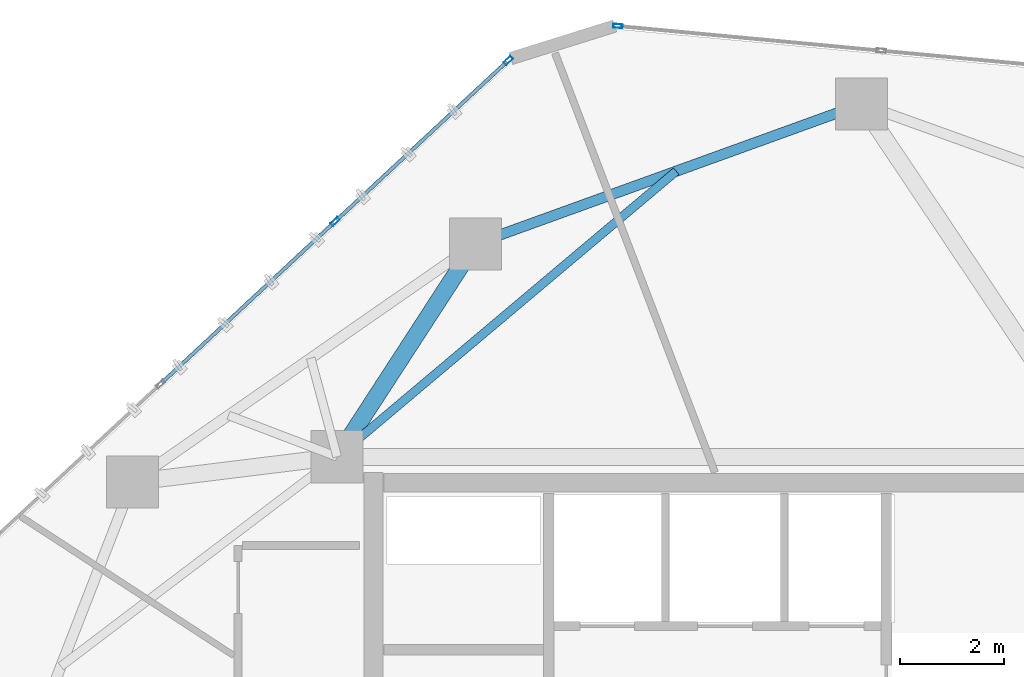
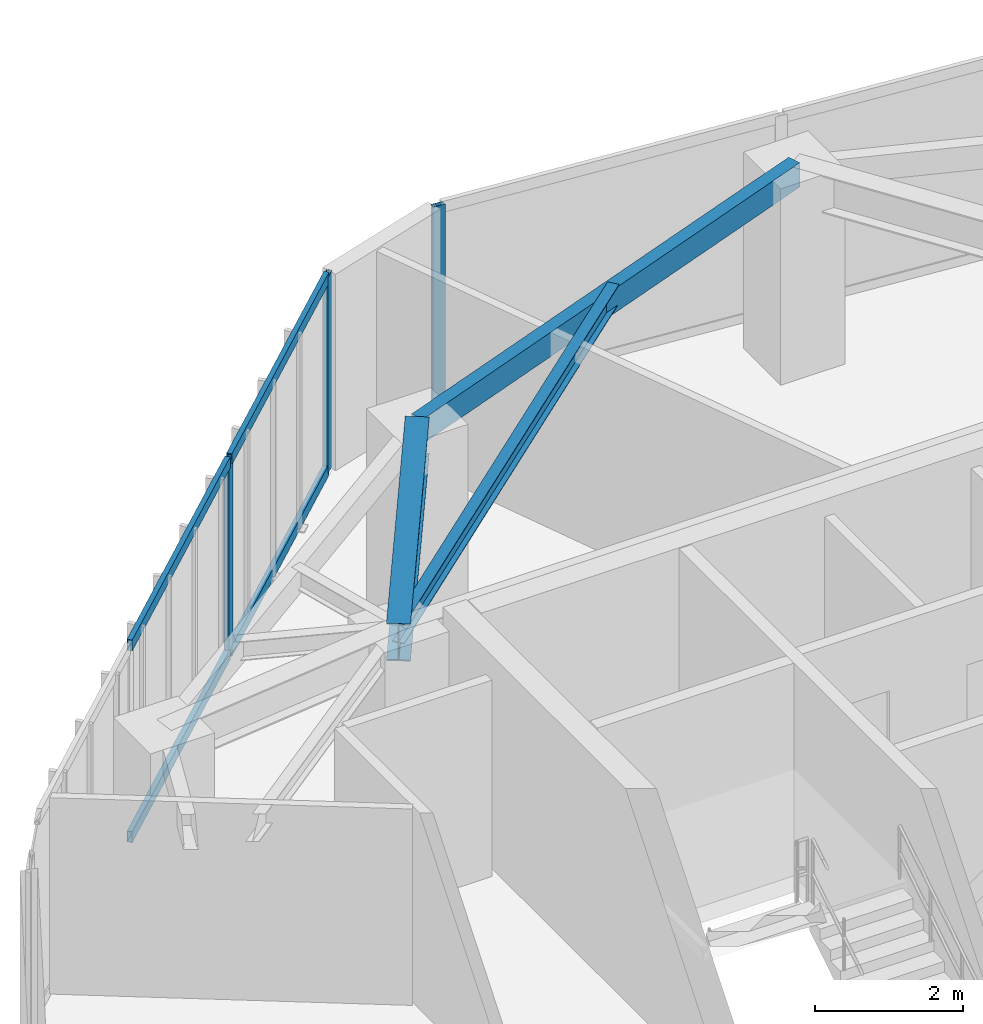
# One storey, part 12 of 19: 7 members, 3 beams, 2 elements without a shape of their own.
"""IFC4 building model written with IfcOpenShell, lengths in metres."""

from ifc_helpers import new_model, si_unit, direction, frame, origin, origin_2d, place, context, subcontext, project, spatial, hollow_rectangle, i_section, extrude, source, transform, mapped, material, layer, layer_set, material_profile, profile_set, type_object, type_shapes, element, aggregate, save


model = new_model("IFC4")

# Units and contexts
model_context = context("Model", 3, precision=1e-05, world=origin(), true_north=direction((0.0, 1.0)))
body_context = subcontext(model_context, "Body", "Model", "MODEL_VIEW")
ifc_project = project(units=[si_unit("LENGTHUNIT", "METRE"), si_unit("AREAUNIT", "SQUARE_METRE"), si_unit("VOLUMEUNIT", "CUBIC_METRE"), si_unit("PLANEANGLEUNIT", "RADIAN"), si_unit("MASSUNIT", "GRAM", prefix="KILO")], contexts=[model_context])

# Site, building, storey
site_placement = place(None, origin())
site = spatial("IfcSite", under=ifc_project, at=site_placement, CompositionType="ELEMENT")
building_placement = place(site_placement, origin())
building = spatial("IfcBuilding", under=site, at=building_placement, Name="Talar Marvaseh", CompositionType="ELEMENT")
storey_placement = place(building_placement, frame((0.0, 0.0, 218.699951171875)))
storey = spatial("IfcBuildingStorey", under=building, at=storey_placement, Name="L57", CompositionType="ELEMENT", Elevation=218.699951171875)

# Beams
ifc_material_1 = material(Name="Steel S355", Category="steel")
ifc_material_profile_1 = material_profile(ifc_material_1, hollow_rectangle(XDim=0.199951171875, YDim=0.39990234375, WallThickness=0.013916015625, at=origin_2d()), Name="RHS400x200x14")
ifc_profile_set_1 = profile_set([ifc_material_profile_1], Name="Steel S355")
beam_type_1 = type_object("IfcBeamType", Name="Zone 3 Perimeter Spandrel Beam RHS400x200x14", PredefinedType="SPANDREL", material=ifc_profile_set_1)
beam_1_placement = place(storey_placement, frame((21.35205078125, 40.986083984375, 3.030029296875), z_axis=(0.940368006783, 0.340158803824, 0.0), x_axis=(-0.340158803824, 0.940368006783, 0.0)))
element("IfcBeam", 1, at=beam_1_placement, inside=storey, type_object=beam_type_1, Name="L57 Zone 3 Perimeter Spandrel Beam RHS400x200x14", PredefinedType="SPANDREL", context=body_context, shape_type="SweptSolid", body=[
    extrude(hollow_rectangle(XDim=0.199951171875, YDim=0.39990234375, WallThickness=0.013916015625, at=origin_2d()), origin(), (0.0, 0.0, 1.0), 7.88427734375),
])
ifc_material_profile_2 = material_profile(ifc_material_1, i_section(OverallWidth=0.324951171875, OverallDepth=0.615966796875, WebThickness=0.013916015625, FlangeThickness=0.021484375, at=origin_2d()), Name="W610x174")
ifc_profile_set_2 = profile_set([ifc_material_profile_2], Name="Steel S355")
beam_type_2 = type_object("IfcBeamType", Name="Zone 3 Radial Floor Girder W610x174", PredefinedType="BEAM", material=ifc_profile_set_2)
beam_2_placement = place(storey_placement, frame((21.35205078125, 40.986083984375, 2.922119140625), z_axis=(-0.544422757063, -0.838810980849, 0.0), x_axis=(0.838810980849, -0.544422757063, 0.0)))
element("IfcBeam", 2, at=beam_2_placement, inside=storey, type_object=beam_type_2, Name="L57 Zone 3 Radial Floor Girder W610x174", PredefinedType="BEAM", context=body_context, shape_type="SweptSolid", body=[
    extrude(i_section(OverallWidth=0.324951171875, OverallDepth=0.615966796875, WebThickness=0.013916015625, FlangeThickness=0.021484375, at=origin_2d()), origin(), (0.0, 0.0, 1.0), 4.871337890625),
])
ifc_material_profile_3 = material_profile(ifc_material_1, i_section(OverallWidth=0.166015625, OverallDepth=0.31298828125, WebThickness=0.006591796875, FlangeThickness=0.01123046875, at=origin_2d()), Name="W310x45")
ifc_profile_set_3 = profile_set([ifc_material_profile_3], Name="Steel S355")
beam_type_3 = type_object("IfcBeamType", Name="Zone 3 Secondary Floor Joist W310x45", PredefinedType="JOIST", material=ifc_profile_set_3)
beam_3_placement = place(storey_placement, frame((25.207275390625, 42.380615234375, 3.073486328125), z_axis=(-0.76486133839, -0.644194949558, 0.0), x_axis=(0.644194949558, -0.76486133839, 0.0)))
element("IfcBeam", 3, at=beam_3_placement, inside=storey, type_object=beam_type_3, Name="L57 Zone 3 Secondary Floor Joist W310x45", PredefinedType="JOIST", context=body_context, shape_type="SweptSolid", body=[
    extrude(i_section(OverallWidth=0.166015625, OverallDepth=0.31298828125, WebThickness=0.006591796875, FlangeThickness=0.01123046875, at=origin_2d()), origin(), (0.0, 0.0, 1.0), 8.5078125),
])

# Curtain wall, members
ifc_material_2 = material(Name="Architectural Aluminium", Category="aluminium")
ifc_layer = layer(ifc_material_2, 0.18994140625)
ifc_layer_set = layer_set([ifc_layer], Name="Architectural Aluminium")
curtain_wall_type = type_object("IfcCurtainWallType", Name="Unitised Solar Atelier Curtain Wall Z3", PredefinedType="NOTDEFINED", material=ifc_layer_set)
curtain_wall_1_placement = place(storey_placement, origin())
curtain_wall_1 = element("IfcCurtainWall", 4, at=curtain_wall_1_placement, inside=storey, type_object=curtain_wall_type, Name="L57 Unitised Solar Atelier Curtain Wall Z3", PredefinedType="NOTDEFINED")
ifc_material_profile_4 = material_profile(ifc_material_2, hollow_rectangle(XDim=0.074951171875, YDim=0.179931640625, WallThickness=0.0048828125, at=origin_2d()), Name="RHS180x75x5")
ifc_profile_set_4 = profile_set([ifc_material_profile_4], Name="Architectural Aluminium")
member_type_1 = type_object("IfcMemberType", Name="Unitised Curtain Wall Standard Mullion RHS180x75x5", PredefinedType="MULLION", material=ifc_profile_set_4)
shared_shape_1 = source(origin(), body_context, "Body", "SweptSolid", [
    extrude(hollow_rectangle(XDim=0.074951171875, YDim=0.179931640625, WallThickness=0.0048828125, at=origin_2d()), origin(), (0.0, 0.0, 1.0), 3.22998046875),
])
type_shapes(member_type_1, [shared_shape_1])
member_1_placement = place(storey_placement, frame((18.660888671875, 41.4130859375, 0.0), z_axis=(0.0, 0.0, 1.0), x_axis=(-0.681132360097, 0.732160302139, 0.0)))
member_1 = element("IfcMember", 5, at=member_1_placement, type_object=member_type_1, Name="CW-Z3 mullion 3", PredefinedType="MULLION", context=body_context, shape_type="MappedRepresentation", body=[
    mapped(shared_shape_1, transform((0.0, 0.0, 0.0), x_axis=(1.0, 0.0, 0.0), y_axis=(0.0, 1.0, 0.0), z_axis=(0.0, 0.0, 1.0), scale=1.0)),
])
member_2_placement = place(storey_placement, frame((21.98486328125, 44.505126953125, 0.0), z_axis=(0.0, 0.0, 1.0), x_axis=(-0.681132360097, 0.732160302139, 0.0)))
member_2 = element("IfcMember", 6, at=member_2_placement, type_object=member_type_1, Name="CW-Z3 mullion 4", PredefinedType="MULLION", context=body_context, shape_type="MappedRepresentation", body=[
    mapped(shared_shape_1, transform((0.0, 0.0, 0.0), x_axis=(1.0, 0.0, 0.0), y_axis=(0.0, 1.0, 0.0), z_axis=(0.0, 0.0, 1.0), scale=1.0)),
])

# Curtain wall, member
curtain_wall_2_placement = place(storey_placement, origin())
curtain_wall_2 = element("IfcCurtainWall", 7, at=curtain_wall_2_placement, inside=storey, type_object=curtain_wall_type, Name="L57 Unitised Solar Atelier Curtain Wall Z3", PredefinedType="NOTDEFINED")
member_3_placement = place(storey_placement, frame((24.08935546875, 45.166748046875, 0.0), z_axis=(0.0, 0.0, 1.0), x_axis=(0.093174095573, 0.995649831976, 0.0)))
member_3 = element("IfcMember", 8, at=member_3_placement, type_object=member_type_1, Name="CW-Z3 mullion 1", PredefinedType="MULLION", context=body_context, shape_type="MappedRepresentation", body=[
    mapped(shared_shape_1, transform((0.0, 0.0, 0.0), x_axis=(1.0, 0.0, 0.0), y_axis=(0.0, 1.0, 0.0), z_axis=(0.0, 0.0, 1.0), scale=1.0)),
])
aggregate(curtain_wall_2, [member_3])

# Member
ifc_material_profile_5 = material_profile(ifc_material_2, hollow_rectangle(XDim=0.074951171875, YDim=0.179931640625, WallThickness=0.0048828125, at=origin_2d()), Name="RHS180x75x5")
ifc_profile_set_5 = profile_set([ifc_material_profile_5], Name="Architectural Aluminium")
member_type_2 = type_object("IfcMemberType", Name="Unitised Curtain Wall Transom RHS180x75x5", PredefinedType="USERDEFINED", material=ifc_profile_set_5)
shared_shape_2 = source(origin(), body_context, "Body", "SweptSolid", [
    extrude(hollow_rectangle(XDim=0.074951171875, YDim=0.179931640625, WallThickness=0.0048828125, at=origin_2d()), origin(), (0.0, 0.0, 1.0), 4.502197265625),
])
member_4_placement = place(storey_placement, frame((15.337158203125, 38.32080078125, 0.03759765625), z_axis=(0.732159695327, 0.681133012369, 0.0), x_axis=(-0.681133012369, 0.732159695327, 0.0)))
member_4 = element("IfcMember", 9, at=member_4_placement, type_object=member_type_2, Name="CW-Z3 transom 2.1", ObjectType="TRANSOM", PredefinedType="USERDEFINED", context=body_context, shape_type="MappedRepresentation", body=[
    mapped(shared_shape_2, transform((0.0, 0.0, 0.0), x_axis=(1.0, 0.0, 0.0), y_axis=(0.0, 1.0, 0.0), z_axis=(0.0, 0.0, 1.0), scale=1.0)),
])

member_5_placement = place(storey_placement, frame((15.337158203125, 38.32080078125, 3.192626953125), z_axis=(0.732159695327, 0.681133012369, 0.0), x_axis=(-0.681133012369, 0.732159695327, 0.0)))
member_5 = element("IfcMember", 10, at=member_5_placement, type_object=member_type_2, Name="CW-Z3 transom 2.2", ObjectType="TRANSOM", PredefinedType="USERDEFINED", context=body_context, shape_type="MappedRepresentation", body=[
    mapped(shared_shape_2, transform((0.0, 0.0, 0.0), x_axis=(1.0, 0.0, 0.0), y_axis=(0.0, 1.0, 0.0), z_axis=(0.0, 0.0, 1.0), scale=1.0)),
])

shared_shape_3 = source(origin(), body_context, "Body", "SweptSolid", [
    extrude(hollow_rectangle(XDim=0.074951171875, YDim=0.179931640625, WallThickness=0.0048828125, at=origin_2d()), origin(), (0.0, 0.0, 1.0), 4.46484375),
])
type_shapes(member_type_2, [shared_shape_2, shared_shape_3])
member_6_placement = place(storey_placement, frame((18.6884765625, 41.4384765625, 0.03759765625), z_axis=(0.732129025987, 0.681165977797, 0.0), x_axis=(-0.681165977797, 0.732129025987, 0.0)))
member_6 = element("IfcMember", 11, at=member_6_placement, type_object=member_type_2, Name="CW-Z3 transom 3.1", ObjectType="TRANSOM", PredefinedType="USERDEFINED", context=body_context, shape_type="MappedRepresentation", body=[
    mapped(shared_shape_3, transform((0.0, 0.0, 0.0), x_axis=(1.0, 0.0, 0.0), y_axis=(0.0, 1.0, 0.0), z_axis=(0.0, 0.0, 1.0), scale=1.0)),
])

member_7_placement = place(storey_placement, frame((18.6884765625, 41.4384765625, 3.192626953125), z_axis=(0.732129025987, 0.681165977797, 0.0), x_axis=(-0.681165977797, 0.732129025987, 0.0)))
member_7 = element("IfcMember", 12, at=member_7_placement, type_object=member_type_2, Name="CW-Z3 transom 3.2", ObjectType="TRANSOM", PredefinedType="USERDEFINED", context=body_context, shape_type="MappedRepresentation", body=[
    mapped(shared_shape_3, transform((0.0, 0.0, 0.0), x_axis=(1.0, 0.0, 0.0), y_axis=(0.0, 1.0, 0.0), z_axis=(0.0, 0.0, 1.0), scale=1.0)),
])

aggregate(curtain_wall_1, [member_1, member_2, member_4, member_5, member_6, member_7])

save(model, "model.ifc")
